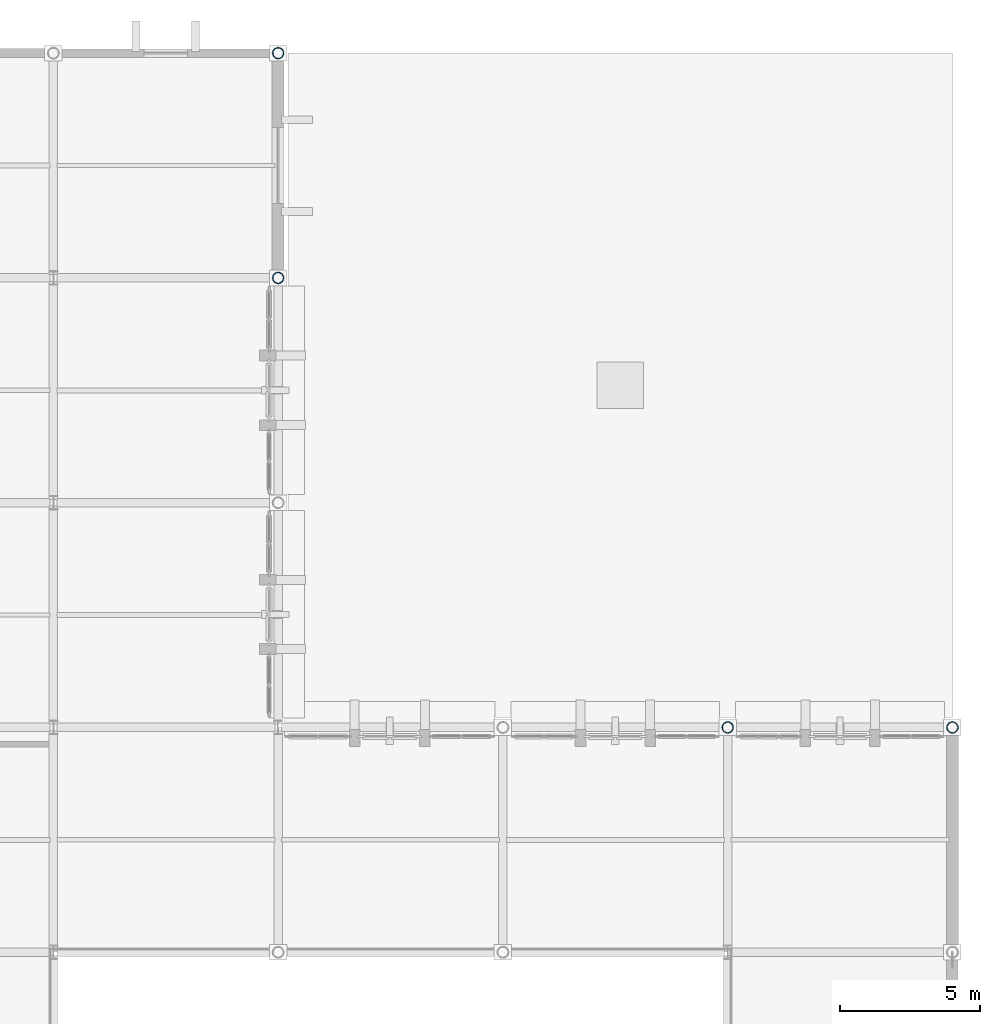
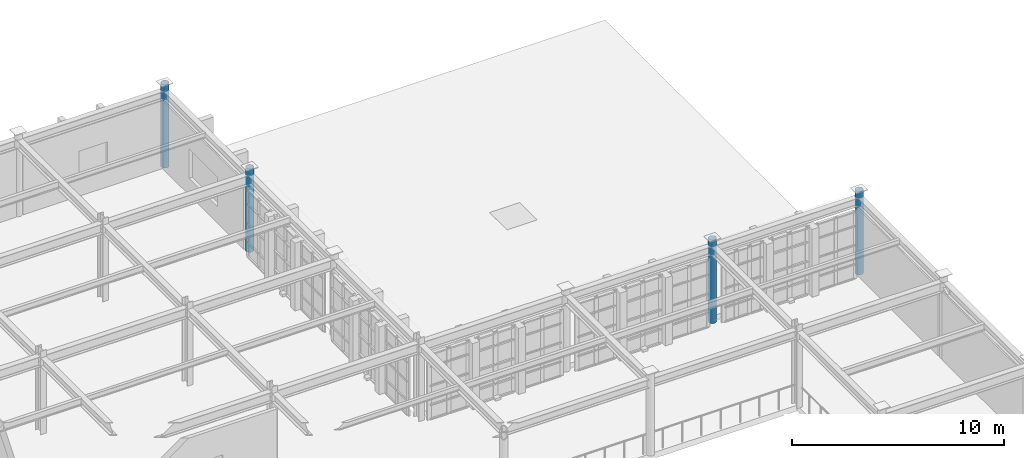
# One storey, part 7 of 155: 4 columns.
"""IFC4 building model written with IfcOpenShell, lengths in metres."""

from ifc_helpers import new_model, si_unit, direction, frame, origin, origin_2d, place, context, subcontext, project, spatial, hollow_circle, extrude, material, material_profile, profile_set, type_object, element, save


model = new_model("IFC4")

# Units and contexts
model_context = context("Model", 3, precision=1e-05, world=origin(), true_north=direction((0.0, 1.0)))
body_context = subcontext(model_context, "Body", "Model", "MODEL_VIEW")
ifc_project = project(units=[si_unit("LENGTHUNIT", "METRE"), si_unit("AREAUNIT", "SQUARE_METRE"), si_unit("VOLUMEUNIT", "CUBIC_METRE"), si_unit("PLANEANGLEUNIT", "RADIAN"), si_unit("MASSUNIT", "GRAM", prefix="KILO")], contexts=[model_context])

# Site, building, storey
site_placement = place(None, origin())
site = spatial("IfcSite", under=ifc_project, at=site_placement, CompositionType="ELEMENT")
building_placement = place(site_placement, origin())
building = spatial("IfcBuilding", under=site, at=building_placement, Name="Tazarka Park Arena", CompositionType="ELEMENT")
storey_placement = place(building_placement, frame((0.0, 0.0, 5.39990234375)))
storey = spatial("IfcBuildingStorey", under=building, at=storey_placement, Name="L01", CompositionType="ELEMENT", Elevation=5.39990234375)

# Columns
ifc_material = material(Name="Steel S355", Category="steel")
ifc_material_profile = material_profile(ifc_material, hollow_circle(Radius=0.203125, WallThickness=0.02001953125, at=origin_2d()), Name="Steel S355")
ifc_profile_set = profile_set([ifc_material_profile], Name="Steel S355")
column_type = type_object("IfcColumnType", Name="COL-SC-04", PredefinedType="COLUMN", material=ifc_profile_set)
for number, where, z_axis, x_axis, name in (
    (1, (160.0, 120.0, 0.0), (0.0, 0.0, 1.0), (1.0, 0.0, 0.0), "CLM-L01-20-15"),
    (2, (160.0, 128.0, 0.0), (0.0, 0.0, 1.0), (1.0, 0.0, 0.0), "CLM-L01-20-16"),
    (3, (176.0, 104.0, 0.0), (0.0, 0.0, 1.0), (1.0, 0.0, 0.0), "CLM-L01-22-13"),
    (4, (184.0, 104.0, 0.0), (0.0, 0.0, 1.0), (1.0, 0.0, 0.0), "CLM-L01-23-13"),
):
    element("IfcColumn", number, at=place(storey_placement, frame(where, z_axis=z_axis, x_axis=x_axis)), inside=storey, type_object=column_type, Name=name, PredefinedType="COLUMN", context=body_context, shape_type="SweptSolid", body=[
        extrude(hollow_circle(Radius=0.203125, WallThickness=0.02001953125, at=origin_2d()), origin(), (0.0, 0.0, 1.0), 4.800048828125),
    ])

save(model, "model.ifc")
